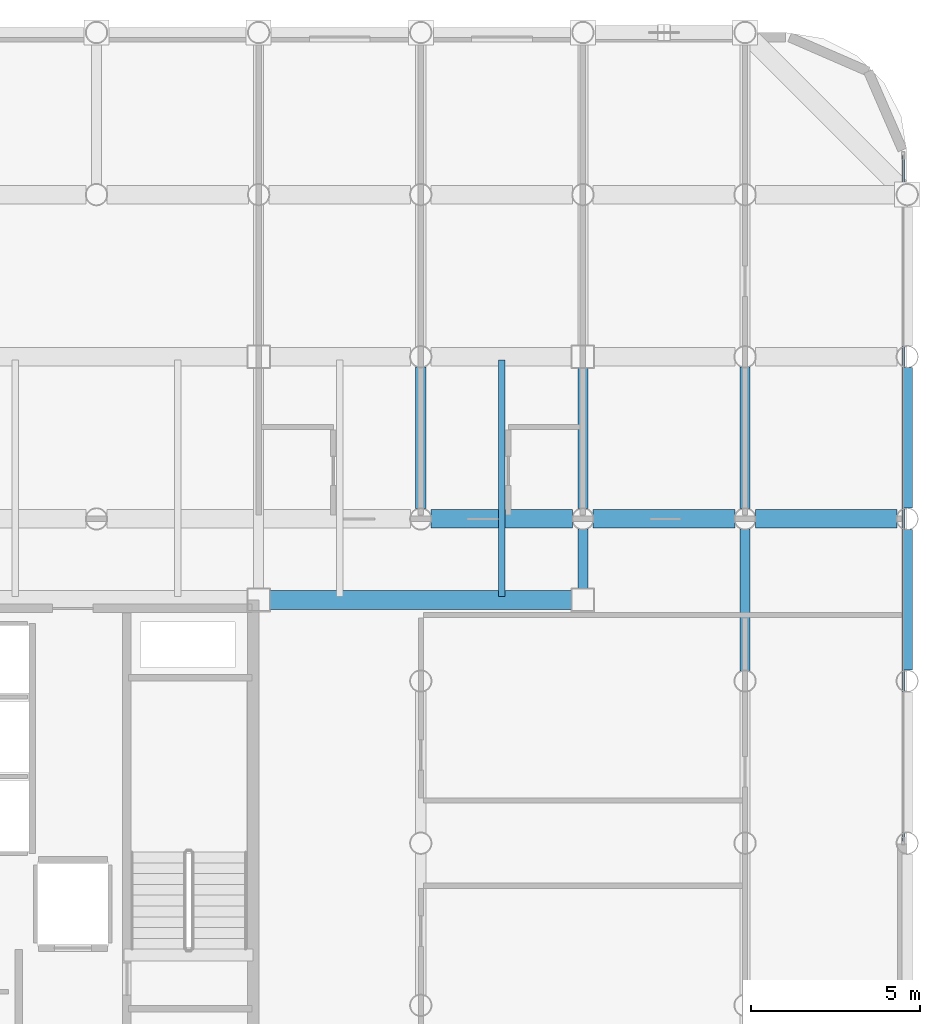
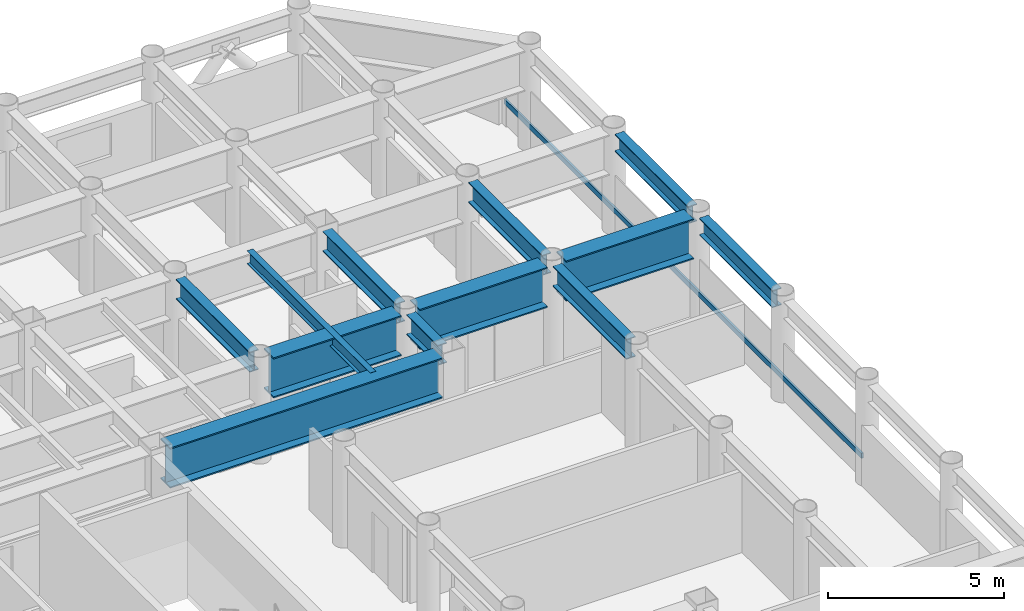
# One storey, part 10 of 22: 12 beams, 1 member, 1 element without a shape of its own.
"""IFC4 building model written with IfcOpenShell, lengths in metres."""

from ifc_helpers import new_model, si_unit, direction, frame, origin, origin_2d, place, context, subcontext, project, spatial, hollow_rectangle, i_section, extrude, material, layer, layer_set, material_profile, profile_set, type_object, element, aggregate, save


model = new_model("IFC4")

# Units and contexts
model_context = context("Model", 3, precision=1e-05, world=origin(), true_north=direction((0.0, 1.0)))
body_context = subcontext(model_context, "Body", "Model", "MODEL_VIEW")
ifc_project = project(units=[si_unit("LENGTHUNIT", "METRE"), si_unit("AREAUNIT", "SQUARE_METRE"), si_unit("VOLUMEUNIT", "CUBIC_METRE"), si_unit("PLANEANGLEUNIT", "RADIAN"), si_unit("MASSUNIT", "GRAM", prefix="KILO")], contexts=[model_context])

# Site, building, storey
site_placement = place(None, origin())
site = spatial("IfcSite", under=ifc_project, at=site_placement, CompositionType="ELEMENT")
building_placement = place(site_placement, origin())
building = spatial("IfcBuilding", under=site, at=building_placement, Name="Kallvorn Hotel Tower", CompositionType="ELEMENT")
storey_placement = place(building_placement, frame((0.0, 0.0, 95.199951171875)))
storey = spatial("IfcBuildingStorey", under=building, at=storey_placement, Name="L22", CompositionType="ELEMENT", Elevation=95.199951171875)

# Beams
ifc_material_1 = material(Name="Structural steel S355JR", Category="steel")
ifc_material_profile_1 = material_profile(ifc_material_1, i_section(OverallWidth=0.300048828125, OverallDepth=0.60009765625, WebThickness=0.015380859375, FlangeThickness=0.030029296875, at=origin_2d()), Name="HE 600 B")
ifc_profile_set_1 = profile_set([ifc_material_profile_1], Name="Structural steel S355JR")
beam_type_1 = type_object("IfcBeamType", Name="BM_HE600B", PredefinedType="SPANDREL", material=ifc_profile_set_1)
beam_1_placement = place(storey_placement, frame((33.60009765625, 5.1201171875, 3.219970703125), z_axis=(0.0, 1.0, 0.0), x_axis=(-1.0, 0.0, 0.0)))
element("IfcBeam", 1, at=beam_1_placement, inside=storey, type_object=beam_type_1, Name="L23 Perimeter Spandrel 186", PredefinedType="SPANDREL", context=body_context, shape_type="SweptSolid", body=[
    extrude(i_section(OverallWidth=0.300048828125, OverallDepth=0.60009765625, WebThickness=0.015380859375, FlangeThickness=0.030029296875, at=origin_2d()), origin(), (0.0, 0.0, 1.0), 4.159912109375),
])
beam_2_placement = place(storey_placement, frame((33.60009765625, 9.919921875, 3.219970703125), z_axis=(0.0, 1.0, 0.0), x_axis=(-1.0, 0.0, 0.0)))
element("IfcBeam", 2, at=beam_2_placement, inside=storey, type_object=beam_type_1, Name="L23 Perimeter Spandrel 187", PredefinedType="SPANDREL", context=body_context, shape_type="SweptSolid", body=[
    extrude(i_section(OverallWidth=0.300048828125, OverallDepth=0.60009765625, WebThickness=0.015380859375, FlangeThickness=0.030029296875, at=origin_2d()), origin(), (0.0, 0.0, 1.0), 4.16015625),
])
ifc_material_2 = material(Name="Structural steel S355JR", Category="steel")
ifc_material_profile_2 = material_profile(ifc_material_2, i_section(OverallWidth=0.300048828125, OverallDepth=0.699951171875, WebThickness=0.01708984375, FlangeThickness=0.031982421875, at=origin_2d()), Name="HE 700 B")
ifc_profile_set_2 = profile_set([ifc_material_profile_2], Name="Structural steel S355JR")
beam_type_2 = type_object("IfcBeamType", Name="BM_HE700B", PredefinedType="BEAM", material=ifc_profile_set_2)
beam_3_placement = place(storey_placement, frame((19.199951171875, 9.905029296875, 3.170166015625), z_axis=(0.0, 1.0, 0.0), x_axis=(-1.0, 0.0, 0.0)))
element("IfcBeam", 3, at=beam_3_placement, inside=storey, type_object=beam_type_2, Name="L23 Primary Y-Girder 132", PredefinedType="BEAM", context=body_context, shape_type="SweptSolid", body=[
    extrude(i_section(OverallWidth=0.300048828125, OverallDepth=0.699951171875, WebThickness=0.01708984375, FlangeThickness=0.031982421875, at=origin_2d()), origin(), (0.0, 0.0, 1.0), 4.18994140625),
])
beam_4_placement = place(storey_placement, frame((24.0, 7.52490234375, 3.170166015625), z_axis=(0.0, 1.0, 0.0), x_axis=(-1.0, 0.0, 0.0)))
element("IfcBeam", 4, at=beam_4_placement, inside=storey, type_object=beam_type_2, Name="L23 Primary Y-Girder 138", PredefinedType="BEAM", context=body_context, shape_type="SweptSolid", body=[
    extrude(i_section(OverallWidth=0.300048828125, OverallDepth=0.699951171875, WebThickness=0.01708984375, FlangeThickness=0.031982421875, at=origin_2d()), origin(), (0.0, 0.0, 1.0), 1.77001953125),
])
beam_5_placement = place(storey_placement, frame((24.0, 9.905029296875, 3.170166015625), z_axis=(0.0, 1.0, 0.0), x_axis=(-1.0, 0.0, 0.0)))
element("IfcBeam", 5, at=beam_5_placement, inside=storey, type_object=beam_type_2, Name="L23 Primary Y-Girder 139", PredefinedType="BEAM", context=body_context, shape_type="SweptSolid", body=[
    extrude(i_section(OverallWidth=0.300048828125, OverallDepth=0.699951171875, WebThickness=0.01708984375, FlangeThickness=0.031982421875, at=origin_2d()), origin(), (0.0, 0.0, 1.0), 4.169921875),
])
for number, where, z_axis, x_axis, name in (
    (6, (28.800048828125, 5.10498046875, 3.170166015625), (0.0, 1.0, 0.0), (-1.0, 0.0, 0.0), "L23 Primary Y-Girder 147"),
    (7, (28.800048828125, 9.905029296875, 3.170166015625), (0.0, 1.0, 0.0), (-1.0, 0.0, 0.0), "L23 Primary Y-Girder 148"),
):
    element("IfcBeam", number, at=place(storey_placement, frame(where, z_axis=z_axis, x_axis=x_axis)), inside=storey, type_object=beam_type_2, Name=name, PredefinedType="BEAM", context=body_context, shape_type="SweptSolid", body=[
        extrude(i_section(OverallWidth=0.300048828125, OverallDepth=0.699951171875, WebThickness=0.01708984375, FlangeThickness=0.031982421875, at=origin_2d()), origin(), (0.0, 0.0, 1.0), 4.18994140625),
    ])
ifc_material_3 = material(Name="Structural steel S355JR", Category="steel")
ifc_material_profile_3 = material_profile(ifc_material_3, i_section(OverallWidth=0.18994140625, OverallDepth=0.449951171875, WebThickness=0.009521484375, FlangeThickness=0.0146484375, at=origin_2d()), Name="IPE 450")
ifc_profile_set_3 = profile_set([ifc_material_profile_3], Name="Structural steel S355JR")
beam_type_3 = type_object("IfcBeamType", Name="BM_IPE450", PredefinedType="JOIST", material=ifc_profile_set_3)
beam_6_placement = place(storey_placement, frame((21.60009765625, 7.300048828125, 3.295166015625), z_axis=(0.0, 1.0, 0.0), x_axis=(-1.0, 0.0, 0.0)))
element("IfcBeam", 8, at=beam_6_placement, inside=storey, type_object=beam_type_3, Name="L23 Secondary Composite Joist 209", PredefinedType="JOIST", context=body_context, shape_type="SweptSolid", body=[
    extrude(i_section(OverallWidth=0.18994140625, OverallDepth=0.449951171875, WebThickness=0.009521484375, FlangeThickness=0.0146484375, at=origin_2d()), origin(), (0.0, 0.0, 1.0), 7.0),
])
ifc_material_4 = material(Name="Structural steel S355JR", Category="steel")
ifc_material_profile_4 = material_profile(ifc_material_4, i_section(OverallWidth=0.550048828125, OverallDepth=1.39990234375, WebThickness=0.02490234375, FlangeThickness=0.044921875, at=origin_2d()), Name="PG 1400x550x25x45")
ifc_profile_set_4 = profile_set([ifc_material_profile_4], Name="Structural steel S355JR")
beam_type_4 = type_object("IfcBeamType", Name="BM_PG_1400", PredefinedType="BEAM", material=ifc_profile_set_4)
beam_7_placement = place(storey_placement, frame((14.72509765625, 7.199951171875, 2.820068359375), z_axis=(1.0, 0.0, 0.0), x_axis=(0.0, 1.0, 0.0)))
element("IfcBeam", 9, at=beam_7_placement, inside=storey, type_object=beam_type_4, Name="L23 Primary X-Girder 40", PredefinedType="BEAM", context=body_context, shape_type="SweptSolid", body=[
    extrude(i_section(OverallWidth=0.550048828125, OverallDepth=1.39990234375, WebThickness=0.02490234375, FlangeThickness=0.044921875, at=origin_2d()), origin(), (0.0, 0.0, 1.0), 8.949951171875),
])
for number, where, z_axis, x_axis, name in (
    (10, (19.5048828125, 9.60009765625, 2.820068359375), (1.0, 0.0, 0.0), (0.0, 1.0, 0.0), "L23 Primary X-Girder 47"),
    (11, (24.304931640625, 9.60009765625, 2.820068359375), (1.0, 0.0, 0.0), (0.0, 1.0, 0.0), "L23 Primary X-Girder 48"),
):
    element("IfcBeam", number, at=place(storey_placement, frame(where, z_axis=z_axis, x_axis=x_axis)), inside=storey, type_object=beam_type_4, Name=name, PredefinedType="BEAM", context=body_context, shape_type="SweptSolid", body=[
        extrude(i_section(OverallWidth=0.550048828125, OverallDepth=1.39990234375, WebThickness=0.02490234375, FlangeThickness=0.044921875, at=origin_2d()), origin(), (0.0, 0.0, 1.0), 4.190185546875),
    ])
beam_8_placement = place(storey_placement, frame((29.10498046875, 9.60009765625, 2.820068359375), z_axis=(1.0, 0.0, 0.0), x_axis=(0.0, 1.0, 0.0)))
element("IfcBeam", 12, at=beam_8_placement, inside=storey, type_object=beam_type_4, Name="L23 Primary X-Girder 49", PredefinedType="BEAM", context=body_context, shape_type="SweptSolid", body=[
    extrude(i_section(OverallWidth=0.550048828125, OverallDepth=1.39990234375, WebThickness=0.02490234375, FlangeThickness=0.044921875, at=origin_2d()), origin(), (0.0, 0.0, 1.0), 4.18994140625),
])

# Curtain wall, member
ifc_material_5 = material(Name="Thermally broken black-anodised aluminium AA 6063-T6", Category="aluminium")
ifc_layer = layer(ifc_material_5, 0.199951171875)
ifc_layer_set = layer_set([ifc_layer], Name="CW_SYS_3_HOTEL_LOW")
curtain_wall_type = type_object("IfcCurtainWallType", Name="CW_SYS_3_HOTEL_LOW", PredefinedType="USERDEFINED", material=ifc_layer_set)
curtain_wall_placement = place(storey_placement, origin())
curtain_wall = element("IfcCurtainWall", 13, at=curtain_wall_placement, inside=storey, type_object=curtain_wall_type, Name="L22 Dark-Glass Curtain Wall CW-L22-EN", ObjectType="UNITISED CURTAIN WALL", PredefinedType="USERDEFINED")
ifc_material_6 = material(Name="Thermally broken black-anodised aluminium AA 6063-T6", Category="aluminium")
ifc_material_profile_5 = material_profile(ifc_material_6, hollow_rectangle(XDim=0.070068359375, YDim=0.179931640625, WallThickness=0.00390625, at=origin_2d()), Name="TRN 180x70")
ifc_profile_set_5 = profile_set([ifc_material_profile_5], Name="Thermally broken black-anodised aluminium AA 6063-T6")
member_type = type_object("IfcMemberType", Name="CW_TRANSOM_180x70", PredefinedType="USERDEFINED", material=ifc_profile_set_5)
member_placement = place(storey_placement, frame((33.47998046875, 0.06005859375, 0.85009765625), z_axis=(0.0, 1.0, 0.0), x_axis=(-1.0, 0.0, 0.0)))
member = element("IfcMember", 14, at=member_placement, type_object=member_type, Name="CW-L22-EN Transom 00M", ObjectType="TRANSOM", PredefinedType="USERDEFINED", context=body_context, shape_type="SweptSolid", body=[
    extrude(hollow_rectangle(XDim=0.070068359375, YDim=0.179931640625, WallThickness=0.00390625, at=origin_2d()), origin(), (0.0, 0.0, 1.0), 20.300048828125),
])
aggregate(curtain_wall, [member])

save(model, "model.ifc")
